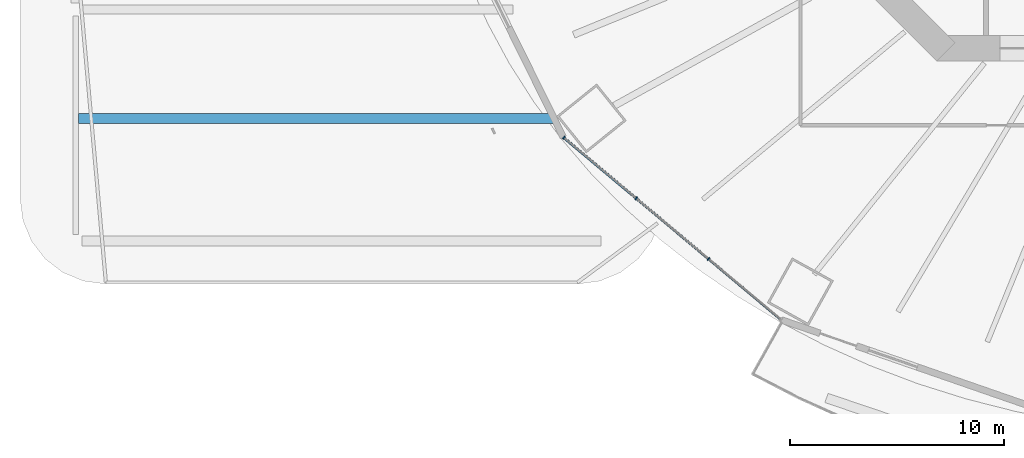
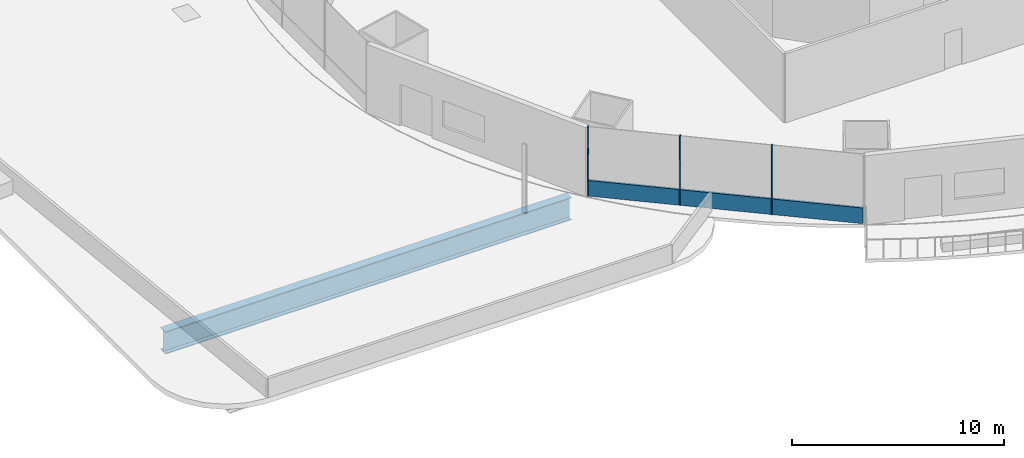
# One storey, part 2 of 27: 4 members, 1 beam, 1 element without a shape of its own.
"""IFC4 building model written with IfcOpenShell, lengths in metres."""

import ifcopenshell
import ifcopenshell.guid

model = None  # the IFC model being written
_history = None  # IfcOwnerHistory: only IFC2X3 demands one
_inside = {}  # id of a spatial element -> (the spatial element, [elements in it])
_under = {}  # id of a project, library or spatial element -> (it, [spatial elements below it])
_declared = {}  # id of a project -> (the project, [libraries it declares])
_typed = {}  # id of a type object -> (the type object, [elements of that type])
_made_of = {}  # id of a material, layer set ... -> (it, [elements and type objects made of it])


def new_model(schema):
    """Start an empty IFC model of exactly this schema.

    Asked for "IFC4X3", IfcOpenShell would pick the latest addendum, in which some entities
    have other attributes; the version numbers below select the first issue.
    IFC2X3 requires an IfcOwnerHistory on every rooted entity: one is made here for all.
    """
    global model, _history
    if schema == "IFC4X3":
        model = ifcopenshell.file(schema_version=(4, 3, 0, 0))
    else:
        model = ifcopenshell.file(schema=schema)
    _inside.clear()
    _under.clear()
    _declared.clear()
    _typed.clear()
    _made_of.clear()
    _history = None
    if model.schema == "IFC2X3":
        org = make("IfcOrganization", Name="unknown")
        user = make(
            "IfcPersonAndOrganization",
            ThePerson=make("IfcPerson", FamilyName="unknown"),
            TheOrganization=org,
        )
        app = make(
            "IfcApplication",
            ApplicationDeveloper=org,
            Version="unknown",
            ApplicationFullName="unknown",
            ApplicationIdentifier="unknown",
        )
        _history = make(
            "IfcOwnerHistory",
            OwningUser=user,
            OwningApplication=app,
            ChangeAction="ADDED",
            CreationDate=0,
        )
    return model


def make(cls, **values):
    """One entity of the class cls with the attributes given. An attribute that is None is left unset."""
    return model.create_entity(
        cls, **{name: value for name, value in values.items() if value is not None}
    )


def rooted(cls, **values):
    """An entity with a GlobalId (a new one), such as an element, a storey or a relation."""
    return make(cls, GlobalId=ifcopenshell.guid.new(), OwnerHistory=_history, **values)


def si_unit(unit_type, name, prefix=None):
    """IfcSIUnit, for example si_unit("LENGTHUNIT", "METRE", prefix="MILLI")."""
    return make("IfcSIUnit", UnitType=unit_type, Prefix=prefix, Name=name)


def assignment(units):
    """IfcUnitAssignment: the units of a project."""
    return None if units is None else make("IfcUnitAssignment", Units=units)


def point(xyz):
    """IfcCartesianPoint."""
    return None if xyz is None else make("IfcCartesianPoint", Coordinates=xyz)


def direction(xyz):
    """IfcDirection."""
    return None if xyz is None else make("IfcDirection", DirectionRatios=xyz)


def frame(location, z_axis=None, x_axis=None):
    """IfcAxis2Placement3D, a coordinate frame: its origin and axes. An axis left out is left unset."""
    return make(
        "IfcAxis2Placement3D",
        Location=point(location),
        Axis=direction(z_axis),
        RefDirection=direction(x_axis),
    )


def frame_2d(location, x_axis=None):
    """IfcAxis2Placement2D, a coordinate frame in the plane: its origin and x axis."""
    return make(
        "IfcAxis2Placement2D", Location=point(location), RefDirection=direction(x_axis)
    )


def origin():
    """The frame at (0, 0, 0) with its axes left unset."""
    return frame((0.0, 0.0, 0.0))


def origin_2d():
    """The frame at (0, 0) in the plane with its x axis left unset."""
    return frame_2d((0.0, 0.0))


def place(relative_to, where):
    """IfcLocalPlacement: puts the frame where relative to a parent placement (None: the world)."""
    return make(
        "IfcLocalPlacement", PlacementRelTo=relative_to, RelativePlacement=where
    )


def context(
    kind, dimensions, precision=None, world=None, true_north=None, identifier=None
):
    """IfcGeometricRepresentationContext, for example the 3D "Model" context."""
    return make(
        "IfcGeometricRepresentationContext",
        ContextIdentifier=identifier,
        ContextType=kind,
        CoordinateSpaceDimension=dimensions,
        Precision=precision,
        WorldCoordinateSystem=world,
        TrueNorth=true_north,
    )


def subcontext(parent, identifier, kind, view, scale=None):
    """IfcGeometricRepresentationSubContext, for example "Body" below "Model"."""
    return make(
        "IfcGeometricRepresentationSubContext",
        ContextIdentifier=identifier,
        ContextType=kind,
        ParentContext=parent,
        TargetScale=scale,
        TargetView=view,
    )


def project(units=None, contexts=None):
    """IfcProject with its units and contexts."""
    return rooted(
        "IfcProject",
        Name="project",
        RepresentationContexts=contexts,
        UnitsInContext=assignment(units),
    )


def spatial(cls, under=None, at=None, **own):
    """A site, building, storey or space (cls), placed at a placement, below another one or the project."""
    s = rooted(cls, ObjectPlacement=at, **own)
    if under is not None:
        _under.setdefault(under.id(), (under, []))[1].append(s)
    return s


def profile(cls, at=None, kind="AREA", **sizes):
    """A parametric profile (cls). Its sizes go by their IFC names, for example OverallWidth=200.0."""
    return make(cls, ProfileType=kind, Position=at, **sizes)


def rectangle(**sizes):
    """IfcRectangleProfileDef."""
    return profile("IfcRectangleProfileDef", **sizes)


def i_section(**sizes):
    """IfcIShapeProfileDef."""
    return profile("IfcIShapeProfileDef", **sizes)


def extrude(swept, where, along, depth):
    """IfcExtrudedAreaSolid: the profile swept, set in the frame where, extruded along a direction by depth."""
    return make(
        "IfcExtrudedAreaSolid",
        SweptArea=swept,
        Position=where,
        ExtrudedDirection=direction(along),
        Depth=depth,
    )


def shape(context_of_items, identifier, shape_type, items):
    """IfcShapeRepresentation: the items that make up one representation, for example the "Body"."""
    return make(
        "IfcShapeRepresentation",
        ContextOfItems=context_of_items,
        RepresentationIdentifier=identifier,
        RepresentationType=shape_type,
        Items=items,
    )


def material(Name=None, Category=None):
    """IfcMaterial."""
    return make("IfcMaterial", Name=Name, Category=Category)


def material_profile(
    of_material, cross_section, Name=None, Category=None, Priority=None
):
    """IfcMaterialProfile: a cross section and its material."""
    return make(
        "IfcMaterialProfile",
        Name=Name,
        Material=of_material,
        Profile=cross_section,
        Priority=Priority,
        Category=Category,
    )


def profile_set(profiles, Name=None, composite=None):
    """IfcMaterialProfileSet."""
    return make(
        "IfcMaterialProfileSet",
        Name=Name,
        MaterialProfiles=profiles,
        CompositeProfile=composite,
    )


def made_of(thing, what):
    """Note that an element or type object is made of a material, layer set ...; save() writes the relation."""
    if what is not None:
        _made_of.setdefault(what.id(), (what, []))[1].append(thing)
    return thing


def type_object(cls, material=None, **own):
    """A type object (cls), such as IfcWallType, which elements share."""
    return made_of(rooted(cls, **own), material)


def element(
    cls,
    number,
    at=None,
    inside=None,
    cuts=None,
    type_object=None,
    material=None,
    context=None,
    identifier="Body",
    shape_type=None,
    held_by="IfcProductDefinitionShape",
    body=None,
    shapes=None,
    **own,
):
    """One element of the class cls, such as IfcWall. Its Tag is "e" and its number.

    at: its placement. inside: the storey or other place that contains it. cuts: it is an
    opening in that element (IfcRelVoidsElement). A single representation is given by context,
    identifier, shape_type and body (its items); several are given by shapes. held_by: the class
    of the entity that holds the representations. save() writes the other relations.
    """
    e = rooted(cls, Tag="e%d" % number, ObjectPlacement=at, **own)
    if body is not None:
        shapes = [shape(context, identifier, shape_type, body)]
    if shapes is not None:
        e.Representation = make(held_by, Representations=shapes)
    if inside is not None:
        _inside.setdefault(inside.id(), (inside, []))[1].append(e)
    if cuts is not None:
        rooted(
            "IfcRelVoidsElement", RelatingBuildingElement=cuts, RelatedOpeningElement=e
        )
    if type_object is not None:
        _typed.setdefault(type_object.id(), (type_object, []))[1].append(e)
    return made_of(e, material)


def aggregate(whole, parts):
    """IfcRelAggregates: a whole, such as a stair, and the parts it consists of."""
    return rooted("IfcRelAggregates", RelatingObject=whole, RelatedObjects=parts)


def save(model, path):
    """Write the relations noted so far, then the file.

    IfcRelAggregates (storeys below a building ...), IfcRelContainedInSpatialStructure (elements
    in a storey), IfcRelDefinesByType, IfcRelAssociatesMaterial and IfcRelDeclares: one each for
    every whole, place, type object, material and project.
    """
    for whole, parts in _under.values():
        aggregate(whole, parts)
    for where, things in _inside.values():
        rooted(
            "IfcRelContainedInSpatialStructure",
            RelatedElements=things,
            RelatingStructure=where,
        )
    for kind, things in _typed.values():
        rooted("IfcRelDefinesByType", RelatedObjects=things, RelatingType=kind)
    for what, things in _made_of.values():
        rooted("IfcRelAssociatesMaterial", RelatedObjects=things, RelatingMaterial=what)
    for by, libraries in _declared.values():
        rooted("IfcRelDeclares", RelatingContext=by, RelatedDefinitions=libraries)
    model.write(path)


model = new_model("IFC4")

# Units and contexts
model_context = context("Model", 3, precision=1e-05, world=origin(), true_north=direction((0.0, 1.0)))
body_context = subcontext(model_context, "Body", "Model", "MODEL_VIEW")
ifc_project = project(units=[si_unit("LENGTHUNIT", "METRE"), si_unit("AREAUNIT", "SQUARE_METRE"), si_unit("VOLUMEUNIT", "CUBIC_METRE"), si_unit("PLANEANGLEUNIT", "RADIAN"), si_unit("MASSUNIT", "GRAM", prefix="KILO")], contexts=[model_context])

# Site, building, storey
site_placement = place(None, origin())
site = spatial("IfcSite", under=ifc_project, at=site_placement, CompositionType="ELEMENT")
building_placement = place(site_placement, origin())
building = spatial("IfcBuilding", under=site, at=building_placement, Name="Marenthal Gate Tower", CompositionType="ELEMENT")
storey_placement = place(building_placement, frame((0.0, 0.0, 33.0)))
storey = spatial("IfcBuildingStorey", under=building, at=storey_placement, Name="L04", CompositionType="ELEMENT", Elevation=33.0)

# Curtain wall, members
ifc_material_1 = material(Name="Aluminium and glass", Category="aluminium")
curtain_wall_type = type_object("IfcCurtainWallType", Name="Curtain wall typical low", PredefinedType="NOTDEFINED", material=ifc_material_1)
curtain_wall_placement = place(storey_placement, origin())
curtain_wall = element("IfcCurtainWall", 1, at=curtain_wall_placement, inside=storey, type_object=curtain_wall_type, Name="Curtain wall L04 bay 10", PredefinedType="NOTDEFINED")
ifc_material_2 = material(Name="Aluminium", Category="aluminium")
ifc_material_profile_1 = material_profile(ifc_material_2, rectangle(XDim=0.159912109375, YDim=0.06005859375, at=origin_2d()), Name="60x160 aluminium mullion")
ifc_profile_set_1 = profile_set([ifc_material_profile_1], Name="Aluminium")
member_type_1 = type_object("IfcMemberType", Name="Mullion 60x160 typical low", PredefinedType="MULLION", material=ifc_profile_set_1)
member_1_placement = place(storey_placement, frame((-30.6416015625, -17.17529296875, 0.0), z_axis=(0.0, 0.0, 1.0), x_axis=(0.641982192245, 0.76671954771, 0.0)))
member_1 = element("IfcMember", 2, at=member_1_placement, type_object=member_type_1, Name="Mullion L04 bay 10.1", PredefinedType="MULLION", context=body_context, shape_type="SweptSolid", body=[
    extrude(rectangle(XDim=0.159912109375, YDim=0.06005859375, at=origin_2d()), origin(), (0.0, 0.0, 1.0), 3.969970703125),
])
member_2_placement = place(storey_placement, frame((-27.26513671875, -20.00244140625, 0.0), z_axis=(0.0, 0.0, 1.0), x_axis=(0.641982192245, 0.76671954771, 0.0)))
member_2 = element("IfcMember", 3, at=member_2_placement, type_object=member_type_1, Name="Mullion L04 bay 10.2", PredefinedType="MULLION", context=body_context, shape_type="SweptSolid", body=[
    extrude(rectangle(XDim=0.159912109375, YDim=0.06005859375, at=origin_2d()), origin(), (0.0, 0.0, 1.0), 3.969970703125),
])
member_3_placement = place(storey_placement, frame((-23.888671875, -22.829345703125, 0.0), z_axis=(0.0, 0.0, 1.0), x_axis=(0.641982192245, 0.76671954771, 0.0)))
member_3 = element("IfcMember", 4, at=member_3_placement, type_object=member_type_1, Name="Mullion L04 bay 10.3", PredefinedType="MULLION", context=body_context, shape_type="SweptSolid", body=[
    extrude(rectangle(XDim=0.159912109375, YDim=0.06005859375, at=origin_2d()), origin(), (0.0, 0.0, 1.0), 3.969970703125),
])

# Beam
ifc_material_3 = material(Name="Steel S355", Category="steel")
ifc_material_profile_2 = material_profile(ifc_material_3, i_section(OverallWidth=0.4599609375, OverallDepth=1.300048828125, WebThickness=0.02490234375, FlangeThickness=0.044921875, at=origin_2d()), Name="PLATE GIRDER 1300X460X25X45")
ifc_profile_set_2 = profile_set([ifc_material_profile_2], Name="Steel S355")
beam_type = type_object("IfcBeamType", Name="PLATE GIRDER 1300X460X25X45 beam", PredefinedType="BEAM", material=ifc_profile_set_2)
beam_placement = place(storey_placement, frame((-31.148193359375, -16.2783203125, -0.989990234375), z_axis=(-1.0, 0.0, 0.0), x_axis=(0.0, -1.0, 0.0)))
element("IfcBeam", 5, at=beam_placement, inside=storey, type_object=beam_type, Name="BM-L04-117", PredefinedType="BEAM", context=body_context, shape_type="SweptSolid", body=[
    extrude(i_section(OverallWidth=0.4599609375, OverallDepth=1.300048828125, WebThickness=0.02490234375, FlangeThickness=0.044921875, at=origin_2d()), origin(), (0.0, 0.0, 1.0), 22.124755859375),
])

# Member
ifc_material_4 = material(Name="Aluminium", Category="aluminium")
ifc_material_profile_3 = material_profile(ifc_material_4, rectangle(XDim=0.1201171875, YDim=0.89990234375, at=origin_2d()), Name="120x900 aluminium transom")
ifc_profile_set_3 = profile_set([ifc_material_profile_3], Name="Aluminium")
member_type_2 = type_object("IfcMemberType", Name="Transom 120x900 typical low", PredefinedType="USERDEFINED", material=ifc_profile_set_3)
member_4_placement = place(storey_placement, frame((-30.61865234375, -17.194580078125, 0.449951171875), z_axis=(0.766726434385, -0.641973967397, 0.0), x_axis=(0.641973967397, 0.766726434385, 0.0)))
member_4 = element("IfcMember", 6, at=member_4_placement, type_object=member_type_2, Name="Transom L04 bay 10", ObjectType="TRANSOM", PredefinedType="USERDEFINED", context=body_context, shape_type="SweptSolid", body=[
    extrude(rectangle(XDim=0.1201171875, YDim=0.89990234375, at=origin_2d()), origin(), (0.0, 0.0, 1.0), 13.151123046875),
])

aggregate(curtain_wall, [member_1, member_2, member_3, member_4])

save(model, "model.ifc")
